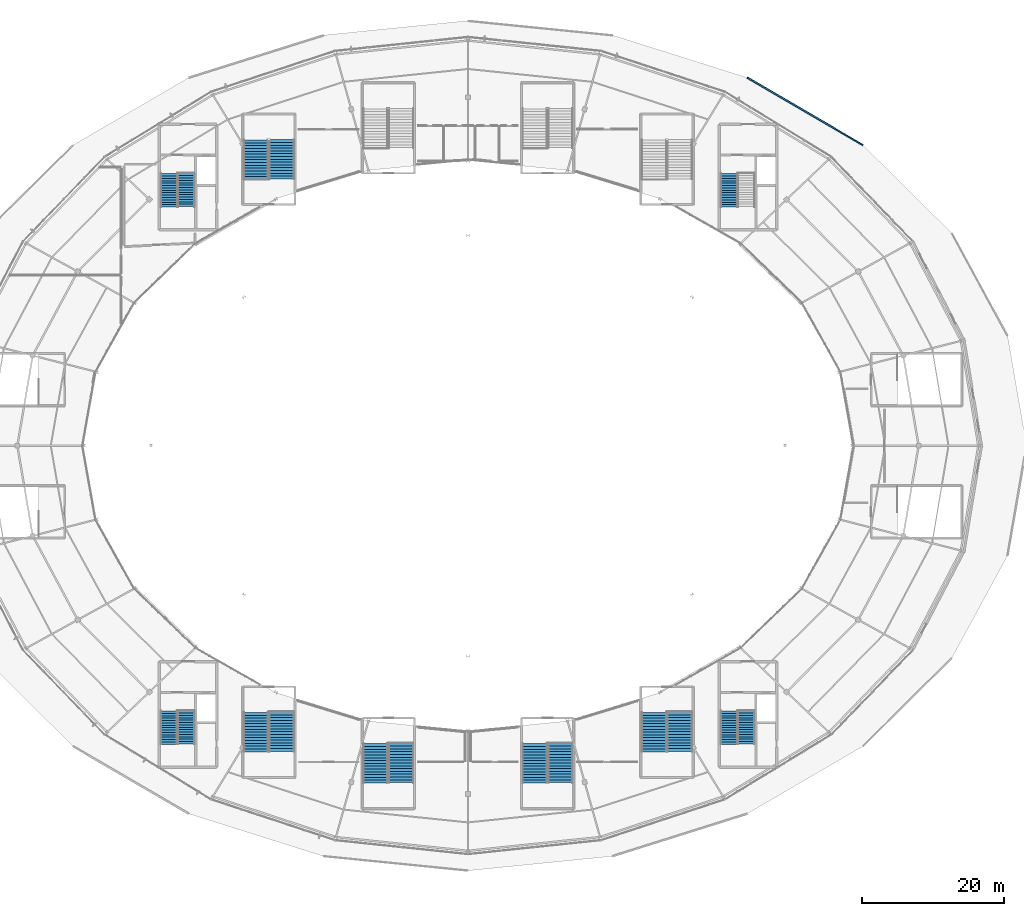
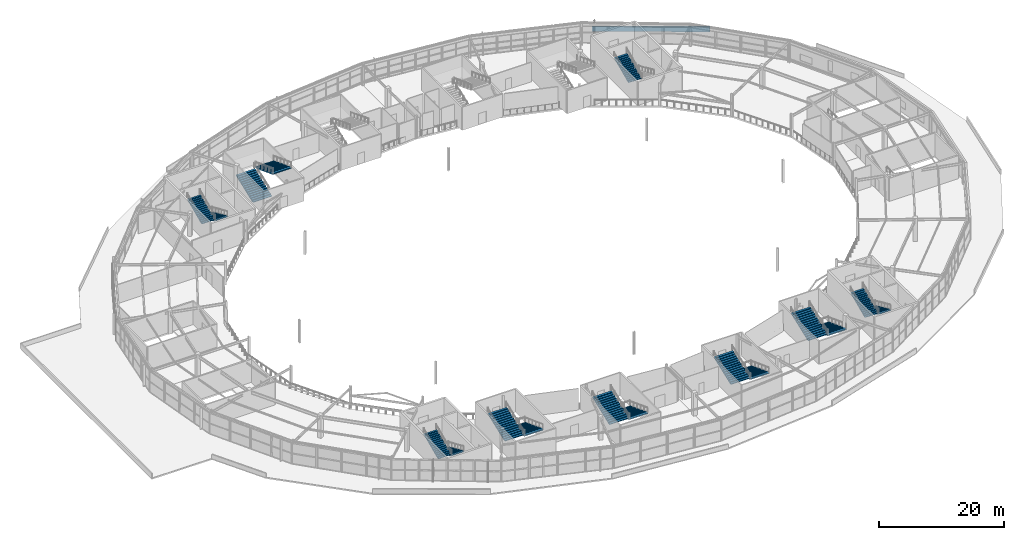
# One storey, part 111 of 126: 17 stair flights, 1 wall, 9 elements without a shape of their own.
"""IFC4 building model written with IfcOpenShell, lengths in metres."""

from ifc_helpers import new_model, si_unit, direction, frame, frame_2d, origin, place, context, subcontext, project, spatial, polyline, rectangle, outline, extrude, material, layer, layer_set, type_object, element, aggregate, save


model = new_model("IFC4")

# Units and contexts
model_context = context("Model", 3, precision=1e-05, world=origin(), true_north=direction((0.0, 1.0)))
body_context = subcontext(model_context, "Body", "Model", "MODEL_VIEW")
ifc_project = project(units=[si_unit("LENGTHUNIT", "METRE"), si_unit("AREAUNIT", "SQUARE_METRE"), si_unit("VOLUMEUNIT", "CUBIC_METRE"), si_unit("PLANEANGLEUNIT", "RADIAN"), si_unit("MASSUNIT", "GRAM", prefix="KILO")], contexts=[model_context])

# Site, building, storey
site_placement = place(None, origin())
site = spatial("IfcSite", under=ifc_project, at=site_placement, CompositionType="ELEMENT")
building_placement = place(site_placement, origin())
building = spatial("IfcBuilding", under=site, at=building_placement, Name="Kalgoora Escarpment Arena", CompositionType="ELEMENT")
storey_placement = place(building_placement, frame((0.0, 0.0, 18.89990234375)))
storey = spatial("IfcBuildingStorey", under=building, at=storey_placement, Name="L04", CompositionType="ELEMENT", Elevation=18.89990234375)

# Wall
ifc_material_1 = material(Name="Precast limestone coping parapet Concrete N40 (fc' 40 MPa)", Category="masonry")
ifc_layer = layer(ifc_material_1, 0.22509765625)
ifc_layer_set = layer_set([ifc_layer], Name="WAL-PAR-225")
wall_type = type_object("IfcWallType", Name="WAL-PAR-225", PredefinedType="PARAPET", material=ifc_layer_set)
wall_placement = place(storey_placement, frame((131.699951171875, 115.788330078125, 0.0), z_axis=(0.0, 0.0, 1.0), x_axis=(0.863603626938, -0.504171375169, 0.0)))
element("IfcWall", 1, at=wall_placement, inside=storey, type_object=wall_type, Name="L04 stepped ziggurat limestone parapet 013", PredefinedType="PARAPET", context=body_context, shape_type="SweptSolid", body=[
    extrude(rectangle(XDim=18.849609375, YDim=0.22509765625, at=frame_2d((9.4248046875, 0.0))), origin(), (0.0, 0.0, 1.0), 0.9501953125),
])

# Stair, stair flights
ifc_material_2 = material(Name="Concrete N40 (fc' 40 MPa)", Category="concrete")
stair_type_1 = type_object("IfcStairType", Name="STR-EXIT-1", PredefinedType="HALF_TURN_STAIR", material=ifc_material_2)
stair_1_placement = place(storey_placement, origin())
stair_1 = element("IfcStair", 2, at=stair_1_placement, inside=storey, type_object=stair_type_1, Name="Fire-isolated exit stair ST05 (L04)", PredefinedType="HALF_TURN_STAIR")
ifc_material_3 = material(Name="Concrete N40 (fc' 40 MPa)", Category="concrete")
stair_flight_type_1 = type_object("IfcStairFlightType", Name="FLT-EXIT-1", PredefinedType="STRAIGHT", material=ifc_material_3)
stair_flight_1_placement = place(storey_placement, frame((52.760009765625, 26.72998046875, 0.0), z_axis=(0.0, 0.0, 1.0), x_axis=(0.0, -1.0, 0.0)))
stair_flight_1 = element("IfcStairFlight", 3, at=stair_flight_1_placement, type_object=stair_flight_type_1, Name="ST05 L04 lower flight", NumberOfRisers=15, NumberOfTreads=14, PredefinedType="STRAIGHT", RiserHeight=0.15, TreadLength=0.335, context=body_context, shape_type="SweptSolid", body=[
    extrude(outline(polyline([(0.0, 0.0), (0.0, 0.14990234375), (0.3349609375, 0.14990234375), (0.3349609375, 0.300048828125), (0.669921875, 0.300048828125), (0.669921875, 0.449951171875), (1.0048828125, 0.449951171875), (1.0048828125, 0.60009765625), (1.340087890625, 0.60009765625), (1.340087890625, 0.75), (1.675048828125, 0.75), (1.675048828125, 0.89990234375), (2.010009765625, 0.89990234375), (2.010009765625, 1.050048828125), (2.344970703125, 1.050048828125), (2.344970703125, 1.199951171875), (2.679931640625, 1.199951171875), (2.679931640625, 1.35009765625), (3.014892578125, 1.35009765625), (3.014892578125, 1.5), (3.35009765625, 1.5), (3.35009765625, 1.64990234375), (3.68505859375, 1.64990234375), (3.68505859375, 1.800048828125), (4.02001953125, 1.800048828125), (4.02001953125, 1.949951171875), (4.35498046875, 1.949951171875), (4.35498046875, 2.10009765625), (4.68994140625, 2.10009765625), (4.68994140625, 2.25), (4.68994140625, 1.913818359375), (0.415771484375, 0.0), (0.0, 0.0)])), frame((0.0, 1.18994140625, 0.0), z_axis=(0.0, -1.0, 0.0), x_axis=(1.0, 0.0, 0.0)), (0.0, 0.0, 1.0), 2.3798828125),
])
stair_flight_2_placement = place(storey_placement, frame((50.340087890625, 21.97998046875, 2.25), z_axis=(0.0, 0.0, 1.0), x_axis=(0.0, 1.0, 0.0)))
stair_flight_2 = element("IfcStairFlight", 4, at=stair_flight_2_placement, type_object=stair_flight_type_1, Name="ST05 L04 upper flight", NumberOfRisers=15, NumberOfTreads=14, PredefinedType="STRAIGHT", RiserHeight=0.15, TreadLength=0.335, context=body_context, shape_type="SweptSolid", body=[
    extrude(outline(polyline([(0.0, 0.0), (0.0, 0.14990234375), (0.3349609375, 0.14990234375), (0.3349609375, 0.300048828125), (0.669921875, 0.300048828125), (0.669921875, 0.449951171875), (1.0048828125, 0.449951171875), (1.0048828125, 0.60009765625), (1.340087890625, 0.60009765625), (1.340087890625, 0.75), (1.675048828125, 0.75), (1.675048828125, 0.89990234375), (2.010009765625, 0.89990234375), (2.010009765625, 1.050048828125), (2.344970703125, 1.050048828125), (2.344970703125, 1.199951171875), (2.679931640625, 1.199951171875), (2.679931640625, 1.35009765625), (3.014892578125, 1.35009765625), (3.014892578125, 1.5), (3.35009765625, 1.5), (3.35009765625, 1.64990234375), (3.68505859375, 1.64990234375), (3.68505859375, 1.800048828125), (4.02001953125, 1.800048828125), (4.02001953125, 1.949951171875), (4.35498046875, 1.949951171875), (4.35498046875, 2.10009765625), (4.68994140625, 2.10009765625), (4.68994140625, 2.25), (4.68994140625, 1.913818359375), (0.415771484375, 0.0), (0.0, 0.0)])), frame((0.0, 1.18994140625, 0.0), z_axis=(0.0, -1.0, 0.0), x_axis=(1.0, 0.0, 0.0)), (0.0, 0.0, 1.0), 2.3798828125),
])
aggregate(stair_1, [stair_flight_1, stair_flight_2])

ifc_material_4 = material(Name="Concrete N40 (fc' 40 MPa)", Category="concrete")
stair_type_2 = type_object("IfcStairType", Name="STR-EXIT-2", PredefinedType="HALF_TURN_STAIR", material=ifc_material_4)
stair_2_placement = place(storey_placement, origin())
stair_2 = element("IfcStair", 5, at=stair_2_placement, inside=storey, type_object=stair_type_2, Name="Fire-isolated exit stair ST06 (L04)", PredefinedType="HALF_TURN_STAIR")
ifc_material_5 = material(Name="Concrete N40 (fc' 40 MPa)", Category="concrete")
stair_flight_type_2 = type_object("IfcStairFlightType", Name="FLT-EXIT-2", PredefinedType="STRAIGHT", material=ifc_material_5)
stair_flight_3_placement = place(storey_placement, frame((131.5576171875, 26.72998046875, 0.0), z_axis=(0.0, 0.0, 1.0), x_axis=(0.0, -1.0, 0.0)))
stair_flight_3 = element("IfcStairFlight", 6, at=stair_flight_3_placement, type_object=stair_flight_type_2, Name="ST06 L04 lower flight", NumberOfRisers=15, NumberOfTreads=14, PredefinedType="STRAIGHT", RiserHeight=0.15, TreadLength=0.335, context=body_context, shape_type="SweptSolid", body=[
    extrude(outline(polyline([(0.0, 0.0), (0.0, 0.14990234375), (0.3349609375, 0.14990234375), (0.3349609375, 0.300048828125), (0.669921875, 0.300048828125), (0.669921875, 0.449951171875), (1.0048828125, 0.449951171875), (1.0048828125, 0.60009765625), (1.340087890625, 0.60009765625), (1.340087890625, 0.75), (1.675048828125, 0.75), (1.675048828125, 0.89990234375), (2.010009765625, 0.89990234375), (2.010009765625, 1.050048828125), (2.344970703125, 1.050048828125), (2.344970703125, 1.199951171875), (2.679931640625, 1.199951171875), (2.679931640625, 1.35009765625), (3.014892578125, 1.35009765625), (3.014892578125, 1.5), (3.35009765625, 1.5), (3.35009765625, 1.64990234375), (3.68505859375, 1.64990234375), (3.68505859375, 1.800048828125), (4.02001953125, 1.800048828125), (4.02001953125, 1.949951171875), (4.35498046875, 1.949951171875), (4.35498046875, 2.10009765625), (4.68994140625, 2.10009765625), (4.68994140625, 2.25), (4.68994140625, 1.913818359375), (0.415771484375, 0.0), (0.0, 0.0)])), frame((0.0, 1.1923828125, 0.0), z_axis=(0.0, -1.0, 0.0), x_axis=(1.0, 0.0, 0.0)), (0.0, 0.0, 1.0), 2.385009765625),
])
stair_flight_4_placement = place(storey_placement, frame((129.142578125, 21.97998046875, 2.25), z_axis=(0.0, 0.0, 1.0), x_axis=(0.0, 1.0, 0.0)))
stair_flight_4 = element("IfcStairFlight", 7, at=stair_flight_4_placement, type_object=stair_flight_type_2, Name="ST06 L04 upper flight", NumberOfRisers=15, NumberOfTreads=14, PredefinedType="STRAIGHT", RiserHeight=0.15, TreadLength=0.335, context=body_context, shape_type="SweptSolid", body=[
    extrude(outline(polyline([(0.0, 0.0), (0.0, 0.14990234375), (0.3349609375, 0.14990234375), (0.3349609375, 0.300048828125), (0.669921875, 0.300048828125), (0.669921875, 0.449951171875), (1.0048828125, 0.449951171875), (1.0048828125, 0.60009765625), (1.340087890625, 0.60009765625), (1.340087890625, 0.75), (1.675048828125, 0.75), (1.675048828125, 0.89990234375), (2.010009765625, 0.89990234375), (2.010009765625, 1.050048828125), (2.344970703125, 1.050048828125), (2.344970703125, 1.199951171875), (2.679931640625, 1.199951171875), (2.679931640625, 1.35009765625), (3.014892578125, 1.35009765625), (3.014892578125, 1.5), (3.35009765625, 1.5), (3.35009765625, 1.64990234375), (3.68505859375, 1.64990234375), (3.68505859375, 1.800048828125), (4.02001953125, 1.800048828125), (4.02001953125, 1.949951171875), (4.35498046875, 1.949951171875), (4.35498046875, 2.10009765625), (4.68994140625, 2.10009765625), (4.68994140625, 2.25), (4.68994140625, 1.913818359375), (0.415771484375, 0.0), (0.0, 0.0)])), frame((0.0, 1.1923828125, 0.0), z_axis=(0.0, -1.0, 0.0), x_axis=(1.0, 0.0, 0.0)), (0.0, 0.0, 1.0), 2.385009765625),
])
aggregate(stair_2, [stair_flight_3, stair_flight_4])

ifc_material_6 = material(Name="Concrete N40 (fc' 40 MPa)", Category="concrete")
stair_type_3 = type_object("IfcStairType", Name="STR-EXIT-3", PredefinedType="HALF_TURN_STAIR", material=ifc_material_6)
stair_3_placement = place(storey_placement, origin())
stair_3 = element("IfcStair", 8, at=stair_3_placement, inside=storey, type_object=stair_type_3, Name="Fire-isolated exit stair ST03 (L04)", PredefinedType="HALF_TURN_STAIR")
ifc_material_7 = material(Name="Concrete N40 (fc' 40 MPa)", Category="concrete")
stair_flight_type_3 = type_object("IfcStairFlightType", Name="FLT-EXIT-3", PredefinedType="STRAIGHT", material=ifc_material_7)
stair_flight_5_placement = place(storey_placement, frame((52.7548828125, 102.330078125, 0.0), z_axis=(0.0, 0.0, 1.0), x_axis=(0.0, -1.0, 0.0)))
stair_flight_5 = element("IfcStairFlight", 9, at=stair_flight_5_placement, type_object=stair_flight_type_3, Name="ST03 L04 lower flight", NumberOfRisers=15, NumberOfTreads=14, PredefinedType="STRAIGHT", RiserHeight=0.15, TreadLength=0.335, context=body_context, shape_type="SweptSolid", body=[
    extrude(outline(polyline([(0.0, 0.0), (0.0, 0.14990234375), (0.3349609375, 0.14990234375), (0.3349609375, 0.300048828125), (0.669921875, 0.300048828125), (0.669921875, 0.449951171875), (1.0048828125, 0.449951171875), (1.0048828125, 0.60009765625), (1.340087890625, 0.60009765625), (1.340087890625, 0.75), (1.675048828125, 0.75), (1.675048828125, 0.89990234375), (2.010009765625, 0.89990234375), (2.010009765625, 1.050048828125), (2.344970703125, 1.050048828125), (2.344970703125, 1.199951171875), (2.679931640625, 1.199951171875), (2.679931640625, 1.35009765625), (3.014892578125, 1.35009765625), (3.014892578125, 1.5), (3.35009765625, 1.5), (3.35009765625, 1.64990234375), (3.68505859375, 1.64990234375), (3.68505859375, 1.800048828125), (4.02001953125, 1.800048828125), (4.02001953125, 1.949951171875), (4.35498046875, 1.949951171875), (4.35498046875, 2.10009765625), (4.68994140625, 2.10009765625), (4.68994140625, 2.25), (4.68994140625, 1.913818359375), (0.415771484375, 0.0), (0.0, 0.0)])), frame((0.0, 1.19482421875, 0.0), z_axis=(0.0, -1.0, 0.0), x_axis=(1.0, 0.0, 0.0)), (0.0, 0.0, 1.0), 2.389892578125),
])
stair_flight_6_placement = place(storey_placement, frame((50.344970703125, 97.580078125, 2.25), z_axis=(0.0, 0.0, 1.0), x_axis=(0.0, 1.0, 0.0)))
stair_flight_6 = element("IfcStairFlight", 10, at=stair_flight_6_placement, type_object=stair_flight_type_3, Name="ST03 L04 upper flight", NumberOfRisers=15, NumberOfTreads=14, PredefinedType="STRAIGHT", RiserHeight=0.15, TreadLength=0.335, context=body_context, shape_type="SweptSolid", body=[
    extrude(outline(polyline([(0.0, 0.0), (0.0, 0.14990234375), (0.3349609375, 0.14990234375), (0.3349609375, 0.300048828125), (0.669921875, 0.300048828125), (0.669921875, 0.449951171875), (1.0048828125, 0.449951171875), (1.0048828125, 0.60009765625), (1.340087890625, 0.60009765625), (1.340087890625, 0.75), (1.675048828125, 0.75), (1.675048828125, 0.89990234375), (2.010009765625, 0.89990234375), (2.010009765625, 1.050048828125), (2.344970703125, 1.050048828125), (2.344970703125, 1.199951171875), (2.679931640625, 1.199951171875), (2.679931640625, 1.35009765625), (3.014892578125, 1.35009765625), (3.014892578125, 1.5), (3.35009765625, 1.5), (3.35009765625, 1.64990234375), (3.68505859375, 1.64990234375), (3.68505859375, 1.800048828125), (4.02001953125, 1.800048828125), (4.02001953125, 1.949951171875), (4.35498046875, 1.949951171875), (4.35498046875, 2.10009765625), (4.68994140625, 2.10009765625), (4.68994140625, 2.25), (4.68994140625, 1.913818359375), (0.415771484375, 0.0), (0.0, 0.0)])), frame((0.0, 1.19482421875, 0.0), z_axis=(0.0, -1.0, 0.0), x_axis=(1.0, 0.0, 0.0)), (0.0, 0.0, 1.0), 2.389892578125),
])
aggregate(stair_3, [stair_flight_5, stair_flight_6])

# Stair, stair flight
ifc_material_8 = material(Name="Concrete N40 (fc' 40 MPa)", Category="concrete")
stair_type_4 = type_object("IfcStairType", Name="STR-EXIT-4", PredefinedType="HALF_TURN_STAIR", material=ifc_material_8)
stair_4_placement = place(storey_placement, origin())
stair_4 = element("IfcStair", 11, at=stair_4_placement, inside=storey, type_object=stair_type_4, Name="Fire-isolated exit stair ST04 (L04)", PredefinedType="HALF_TURN_STAIR")
ifc_material_9 = material(Name="Concrete N40 (fc' 40 MPa)", Category="concrete")
stair_flight_type_4 = type_object("IfcStairFlightType", Name="FLT-EXIT-4", PredefinedType="STRAIGHT", material=ifc_material_9)
stair_flight_7_placement = place(storey_placement, frame((129.1474609375, 97.580078125, 2.25), z_axis=(0.0, 0.0, 1.0), x_axis=(0.0, 1.0, 0.0)))
stair_flight_7 = element("IfcStairFlight", 12, at=stair_flight_7_placement, type_object=stair_flight_type_4, Name="ST04 L04 upper flight", NumberOfRisers=15, NumberOfTreads=14, PredefinedType="STRAIGHT", RiserHeight=0.15, TreadLength=0.335, context=body_context, shape_type="SweptSolid", body=[
    extrude(outline(polyline([(0.0, 0.0), (0.0, 0.14990234375), (0.3349609375, 0.14990234375), (0.3349609375, 0.300048828125), (0.669921875, 0.300048828125), (0.669921875, 0.449951171875), (1.0048828125, 0.449951171875), (1.0048828125, 0.60009765625), (1.340087890625, 0.60009765625), (1.340087890625, 0.75), (1.675048828125, 0.75), (1.675048828125, 0.89990234375), (2.010009765625, 0.89990234375), (2.010009765625, 1.050048828125), (2.344970703125, 1.050048828125), (2.344970703125, 1.199951171875), (2.679931640625, 1.199951171875), (2.679931640625, 1.35009765625), (3.014892578125, 1.35009765625), (3.014892578125, 1.5), (3.35009765625, 1.5), (3.35009765625, 1.64990234375), (3.68505859375, 1.64990234375), (3.68505859375, 1.800048828125), (4.02001953125, 1.800048828125), (4.02001953125, 1.949951171875), (4.35498046875, 1.949951171875), (4.35498046875, 2.10009765625), (4.68994140625, 2.10009765625), (4.68994140625, 2.25), (4.68994140625, 1.913818359375), (0.415771484375, 0.0), (0.0, 0.0)])), frame((0.0, 1.197509765625, 0.0), z_axis=(0.0, -1.0, 0.0), x_axis=(1.0, 0.0, 0.0)), (0.0, 0.0, 1.0), 2.39501953125),
])
aggregate(stair_4, [stair_flight_7])

# Stair, stair flights
ifc_material_10 = material(Name="Precast concrete N50 (fc' 50 MPa)", Category="concrete")
stair_type_5 = type_object("IfcStairType", Name="STR-STAD-1", PredefinedType="HALF_TURN_STAIR", material=ifc_material_10)
stair_5_placement = place(storey_placement, origin())
stair_5 = element("IfcStair", 13, at=stair_5_placement, inside=storey, type_object=stair_type_5, Name="Fire-isolated exit stair ST09 (L04)", PredefinedType="HALF_TURN_STAIR")
ifc_material_11 = material(Name="Precast concrete N50 (fc' 50 MPa)", Category="concrete")
stair_flight_type_5 = type_object("IfcStairFlightType", Name="FLT-STAD-1", PredefinedType="STRAIGHT", material=ifc_material_11)
stair_flight_8_placement = place(storey_placement, frame((62.592529296875, 101.469970703125, 0.0), z_axis=(0.0, 0.0, 1.0), x_axis=(0.0, 1.0, 0.0)))
stair_flight_8 = element("IfcStairFlight", 14, at=stair_flight_8_placement, type_object=stair_flight_type_5, Name="ST09 L04 lower flight", NumberOfRisers=15, NumberOfTreads=14, PredefinedType="STRAIGHT", RiserHeight=0.15, TreadLength=0.395, context=body_context, shape_type="SweptSolid", body=[
    extrude(outline(polyline([(0.0, 0.0), (0.0, 0.14990234375), (0.39501953125, 0.14990234375), (0.39501953125, 0.300048828125), (0.7900390625, 0.300048828125), (0.7900390625, 0.449951171875), (1.18505859375, 0.449951171875), (1.18505859375, 0.60009765625), (1.580078125, 0.60009765625), (1.580078125, 0.75), (1.97509765625, 0.75), (1.97509765625, 0.89990234375), (2.3701171875, 0.89990234375), (2.3701171875, 1.050048828125), (2.764892578125, 1.050048828125), (2.764892578125, 1.199951171875), (3.159912109375, 1.199951171875), (3.159912109375, 1.35009765625), (3.554931640625, 1.35009765625), (3.554931640625, 1.5), (3.949951171875, 1.5), (3.949951171875, 1.64990234375), (4.344970703125, 1.64990234375), (4.344970703125, 1.800048828125), (4.739990234375, 1.800048828125), (4.739990234375, 1.949951171875), (5.135009765625, 1.949951171875), (5.135009765625, 2.10009765625), (5.530029296875, 2.10009765625), (5.530029296875, 2.25), (5.530029296875, 1.918212890625), (0.478759765625, 0.0), (0.0, 0.0)])), frame((0.0, 1.74267578125, 0.0), z_axis=(0.0, -1.0, 0.0), x_axis=(1.0, 0.0, 0.0)), (0.0, 0.0, 1.0), 3.485107421875),
])
stair_flight_9_placement = place(storey_placement, frame((66.20751953125, 107.06005859375, 2.25), z_axis=(0.0, 0.0, 1.0), x_axis=(0.0, -1.0, 0.0)))
stair_flight_9 = element("IfcStairFlight", 15, at=stair_flight_9_placement, type_object=stair_flight_type_5, Name="ST09 L04 upper flight", NumberOfRisers=15, NumberOfTreads=14, PredefinedType="STRAIGHT", RiserHeight=0.15, TreadLength=0.395, context=body_context, shape_type="SweptSolid", body=[
    extrude(outline(polyline([(0.0, 0.0), (0.0, 0.14990234375), (0.39501953125, 0.14990234375), (0.39501953125, 0.300048828125), (0.7900390625, 0.300048828125), (0.7900390625, 0.449951171875), (1.18505859375, 0.449951171875), (1.18505859375, 0.60009765625), (1.580078125, 0.60009765625), (1.580078125, 0.75), (1.97509765625, 0.75), (1.97509765625, 0.89990234375), (2.3701171875, 0.89990234375), (2.3701171875, 1.050048828125), (2.764892578125, 1.050048828125), (2.764892578125, 1.199951171875), (3.159912109375, 1.199951171875), (3.159912109375, 1.35009765625), (3.554931640625, 1.35009765625), (3.554931640625, 1.5), (3.949951171875, 1.5), (3.949951171875, 1.64990234375), (4.344970703125, 1.64990234375), (4.344970703125, 1.800048828125), (4.739990234375, 1.800048828125), (4.739990234375, 1.949951171875), (5.135009765625, 1.949951171875), (5.135009765625, 2.10009765625), (5.530029296875, 2.10009765625), (5.530029296875, 2.25), (5.530029296875, 1.918212890625), (0.478759765625, 0.0), (0.0, 0.0)])), frame((0.0, 1.74267578125, 0.0), z_axis=(0.0, -1.0, 0.0), x_axis=(1.0, 0.0, 0.0)), (0.0, 0.0, 1.0), 3.485107421875),
])
aggregate(stair_5, [stair_flight_8, stair_flight_9])

stair_6_placement = place(storey_placement, origin())
stair_6 = element("IfcStair", 16, at=stair_6_placement, inside=storey, type_object=stair_type_5, Name="Fire-isolated exit stair ST13 (L04)", PredefinedType="HALF_TURN_STAIR")
stair_flight_10_placement = place(storey_placement, frame((66.20751953125, 26.530029296875, 0.0), z_axis=(0.0, 0.0, 1.0), x_axis=(0.0, -1.0, 0.0)))
stair_flight_10 = element("IfcStairFlight", 17, at=stair_flight_10_placement, type_object=stair_flight_type_5, Name="ST13 L04 lower flight", NumberOfRisers=15, NumberOfTreads=14, PredefinedType="STRAIGHT", RiserHeight=0.15, TreadLength=0.395, context=body_context, shape_type="SweptSolid", body=[
    extrude(outline(polyline([(0.0, 0.0), (0.0, 0.14990234375), (0.39501953125, 0.14990234375), (0.39501953125, 0.300048828125), (0.7900390625, 0.300048828125), (0.7900390625, 0.449951171875), (1.18505859375, 0.449951171875), (1.18505859375, 0.60009765625), (1.580078125, 0.60009765625), (1.580078125, 0.75), (1.97509765625, 0.75), (1.97509765625, 0.89990234375), (2.3701171875, 0.89990234375), (2.3701171875, 1.050048828125), (2.764892578125, 1.050048828125), (2.764892578125, 1.199951171875), (3.159912109375, 1.199951171875), (3.159912109375, 1.35009765625), (3.554931640625, 1.35009765625), (3.554931640625, 1.5), (3.949951171875, 1.5), (3.949951171875, 1.64990234375), (4.344970703125, 1.64990234375), (4.344970703125, 1.800048828125), (4.739990234375, 1.800048828125), (4.739990234375, 1.949951171875), (5.135009765625, 1.949951171875), (5.135009765625, 2.10009765625), (5.530029296875, 2.10009765625), (5.530029296875, 2.25), (5.530029296875, 1.918212890625), (0.478759765625, 0.0), (0.0, 0.0)])), frame((0.0, 1.74267578125, 0.0), z_axis=(0.0, -1.0, 0.0), x_axis=(1.0, 0.0, 0.0)), (0.0, 0.0, 1.0), 3.485107421875),
])
stair_flight_11_placement = place(storey_placement, frame((62.592529296875, 20.93994140625, 2.25), z_axis=(0.0, 0.0, 1.0), x_axis=(0.0, 1.0, 0.0)))
stair_flight_11 = element("IfcStairFlight", 18, at=stair_flight_11_placement, type_object=stair_flight_type_5, Name="ST13 L04 upper flight", NumberOfRisers=15, NumberOfTreads=14, PredefinedType="STRAIGHT", RiserHeight=0.15, TreadLength=0.395, context=body_context, shape_type="SweptSolid", body=[
    extrude(outline(polyline([(0.0, 0.0), (0.0, 0.14990234375), (0.39501953125, 0.14990234375), (0.39501953125, 0.300048828125), (0.7900390625, 0.300048828125), (0.7900390625, 0.449951171875), (1.18505859375, 0.449951171875), (1.18505859375, 0.60009765625), (1.580078125, 0.60009765625), (1.580078125, 0.75), (1.97509765625, 0.75), (1.97509765625, 0.89990234375), (2.3701171875, 0.89990234375), (2.3701171875, 1.050048828125), (2.764892578125, 1.050048828125), (2.764892578125, 1.199951171875), (3.159912109375, 1.199951171875), (3.159912109375, 1.35009765625), (3.554931640625, 1.35009765625), (3.554931640625, 1.5), (3.949951171875, 1.5), (3.949951171875, 1.64990234375), (4.344970703125, 1.64990234375), (4.344970703125, 1.800048828125), (4.739990234375, 1.800048828125), (4.739990234375, 1.949951171875), (5.135009765625, 1.949951171875), (5.135009765625, 2.10009765625), (5.530029296875, 2.10009765625), (5.530029296875, 2.25), (5.530029296875, 1.918212890625), (0.478759765625, 0.0), (0.0, 0.0)])), frame((0.0, 1.74267578125, 0.0), z_axis=(0.0, -1.0, 0.0), x_axis=(1.0, 0.0, 0.0)), (0.0, 0.0, 1.0), 3.485107421875),
])
aggregate(stair_6, [stair_flight_10, stair_flight_11])

ifc_material_12 = material(Name="Precast concrete N50 (fc' 50 MPa)", Category="concrete")
stair_type_6 = type_object("IfcStairType", Name="STR-STAD-2", PredefinedType="HALF_TURN_STAIR", material=ifc_material_12)
stair_7_placement = place(storey_placement, origin())
stair_7 = element("IfcStair", 19, at=stair_7_placement, inside=storey, type_object=stair_type_6, Name="Fire-isolated exit stair ST14 (L04)", PredefinedType="HALF_TURN_STAIR")
ifc_material_13 = material(Name="Precast concrete N50 (fc' 50 MPa)", Category="concrete")
stair_flight_type_6 = type_object("IfcStairFlightType", Name="FLT-STAD-2", PredefinedType="STRAIGHT", material=ifc_material_13)
stair_flight_12_placement = place(storey_placement, frame((83.0048828125, 22.1298828125, 0.0), z_axis=(0.0, 0.0, 1.0), x_axis=(0.0, -1.0, 0.0)))
stair_flight_12 = element("IfcStairFlight", 20, at=stair_flight_12_placement, type_object=stair_flight_type_6, Name="ST14 L04 lower flight", NumberOfRisers=15, NumberOfTreads=14, PredefinedType="STRAIGHT", RiserHeight=0.15, TreadLength=0.395, context=body_context, shape_type="SweptSolid", body=[
    extrude(outline(polyline([(0.0, 0.0), (0.0, 0.14990234375), (0.39501953125, 0.14990234375), (0.39501953125, 0.300048828125), (0.7900390625, 0.300048828125), (0.7900390625, 0.449951171875), (1.18505859375, 0.449951171875), (1.18505859375, 0.60009765625), (1.580078125, 0.60009765625), (1.580078125, 0.75), (1.97509765625, 0.75), (1.97509765625, 0.89990234375), (2.3701171875, 0.89990234375), (2.3701171875, 1.050048828125), (2.764892578125, 1.050048828125), (2.764892578125, 1.199951171875), (3.159912109375, 1.199951171875), (3.159912109375, 1.35009765625), (3.554931640625, 1.35009765625), (3.554931640625, 1.5), (3.949951171875, 1.5), (3.949951171875, 1.64990234375), (4.344970703125, 1.64990234375), (4.344970703125, 1.800048828125), (4.739990234375, 1.800048828125), (4.739990234375, 1.949951171875), (5.135009765625, 1.949951171875), (5.135009765625, 2.10009765625), (5.530029296875, 2.10009765625), (5.530029296875, 2.25), (5.530029296875, 1.918212890625), (0.478759765625, 0.0), (0.0, 0.0)])), frame((0.0, 1.7451171875, 0.0), z_axis=(0.0, -1.0, 0.0), x_axis=(1.0, 0.0, 0.0)), (0.0, 0.0, 1.0), 3.489990234375),
])
stair_flight_13_placement = place(storey_placement, frame((79.39501953125, 16.5400390625, 2.25), z_axis=(0.0, 0.0, 1.0), x_axis=(0.0, 1.0, 0.0)))
stair_flight_13 = element("IfcStairFlight", 21, at=stair_flight_13_placement, type_object=stair_flight_type_6, Name="ST14 L04 upper flight", NumberOfRisers=15, NumberOfTreads=14, PredefinedType="STRAIGHT", RiserHeight=0.15, TreadLength=0.395, context=body_context, shape_type="SweptSolid", body=[
    extrude(outline(polyline([(0.0, 0.0), (0.0, 0.14990234375), (0.39501953125, 0.14990234375), (0.39501953125, 0.300048828125), (0.7900390625, 0.300048828125), (0.7900390625, 0.449951171875), (1.18505859375, 0.449951171875), (1.18505859375, 0.60009765625), (1.580078125, 0.60009765625), (1.580078125, 0.75), (1.97509765625, 0.75), (1.97509765625, 0.89990234375), (2.3701171875, 0.89990234375), (2.3701171875, 1.050048828125), (2.764892578125, 1.050048828125), (2.764892578125, 1.199951171875), (3.159912109375, 1.199951171875), (3.159912109375, 1.35009765625), (3.554931640625, 1.35009765625), (3.554931640625, 1.5), (3.949951171875, 1.5), (3.949951171875, 1.64990234375), (4.344970703125, 1.64990234375), (4.344970703125, 1.800048828125), (4.739990234375, 1.800048828125), (4.739990234375, 1.949951171875), (5.135009765625, 1.949951171875), (5.135009765625, 2.10009765625), (5.530029296875, 2.10009765625), (5.530029296875, 2.25), (5.530029296875, 1.918212890625), (0.478759765625, 0.0), (0.0, 0.0)])), frame((0.0, 1.7451171875, 0.0), z_axis=(0.0, -1.0, 0.0), x_axis=(1.0, 0.0, 0.0)), (0.0, 0.0, 1.0), 3.489990234375),
])
aggregate(stair_7, [stair_flight_12, stair_flight_13])

ifc_material_14 = material(Name="Precast concrete N50 (fc' 50 MPa)", Category="concrete")
stair_type_7 = type_object("IfcStairType", Name="STR-STAD-3", PredefinedType="HALF_TURN_STAIR", material=ifc_material_14)
stair_8_placement = place(storey_placement, origin())
stair_8 = element("IfcStair", 22, at=stair_8_placement, inside=storey, type_object=stair_type_7, Name="Fire-isolated exit stair ST15 (L04)", PredefinedType="HALF_TURN_STAIR")
ifc_material_15 = material(Name="Precast concrete N50 (fc' 50 MPa)", Category="concrete")
stair_flight_type_7 = type_object("IfcStairFlightType", Name="FLT-STAD-3", PredefinedType="STRAIGHT", material=ifc_material_15)
stair_flight_14_placement = place(storey_placement, frame((105.402587890625, 22.1298828125, 0.0), z_axis=(0.0, 0.0, 1.0), x_axis=(0.0, -1.0, 0.0)))
stair_flight_14 = element("IfcStairFlight", 23, at=stair_flight_14_placement, type_object=stair_flight_type_7, Name="ST15 L04 lower flight", NumberOfRisers=15, NumberOfTreads=14, PredefinedType="STRAIGHT", RiserHeight=0.15, TreadLength=0.395, context=body_context, shape_type="SweptSolid", body=[
    extrude(outline(polyline([(0.0, 0.0), (0.0, 0.14990234375), (0.39501953125, 0.14990234375), (0.39501953125, 0.300048828125), (0.7900390625, 0.300048828125), (0.7900390625, 0.449951171875), (1.18505859375, 0.449951171875), (1.18505859375, 0.60009765625), (1.580078125, 0.60009765625), (1.580078125, 0.75), (1.97509765625, 0.75), (1.97509765625, 0.89990234375), (2.3701171875, 0.89990234375), (2.3701171875, 1.050048828125), (2.764892578125, 1.050048828125), (2.764892578125, 1.199951171875), (3.159912109375, 1.199951171875), (3.159912109375, 1.35009765625), (3.554931640625, 1.35009765625), (3.554931640625, 1.5), (3.949951171875, 1.5), (3.949951171875, 1.64990234375), (4.344970703125, 1.64990234375), (4.344970703125, 1.800048828125), (4.739990234375, 1.800048828125), (4.739990234375, 1.949951171875), (5.135009765625, 1.949951171875), (5.135009765625, 2.10009765625), (5.530029296875, 2.10009765625), (5.530029296875, 2.25), (5.530029296875, 1.918212890625), (0.478759765625, 0.0), (0.0, 0.0)])), frame((0.0, 1.74755859375, 0.0), z_axis=(0.0, -1.0, 0.0), x_axis=(1.0, 0.0, 0.0)), (0.0, 0.0, 1.0), 3.4951171875),
])
stair_flight_15_placement = place(storey_placement, frame((101.797607421875, 16.5400390625, 2.25), z_axis=(0.0, 0.0, 1.0), x_axis=(0.0, 1.0, 0.0)))
stair_flight_15 = element("IfcStairFlight", 24, at=stair_flight_15_placement, type_object=stair_flight_type_7, Name="ST15 L04 upper flight", NumberOfRisers=15, NumberOfTreads=14, PredefinedType="STRAIGHT", RiserHeight=0.15, TreadLength=0.395, context=body_context, shape_type="SweptSolid", body=[
    extrude(outline(polyline([(0.0, 0.0), (0.0, 0.14990234375), (0.39501953125, 0.14990234375), (0.39501953125, 0.300048828125), (0.7900390625, 0.300048828125), (0.7900390625, 0.449951171875), (1.18505859375, 0.449951171875), (1.18505859375, 0.60009765625), (1.580078125, 0.60009765625), (1.580078125, 0.75), (1.97509765625, 0.75), (1.97509765625, 0.89990234375), (2.3701171875, 0.89990234375), (2.3701171875, 1.050048828125), (2.764892578125, 1.050048828125), (2.764892578125, 1.199951171875), (3.159912109375, 1.199951171875), (3.159912109375, 1.35009765625), (3.554931640625, 1.35009765625), (3.554931640625, 1.5), (3.949951171875, 1.5), (3.949951171875, 1.64990234375), (4.344970703125, 1.64990234375), (4.344970703125, 1.800048828125), (4.739990234375, 1.800048828125), (4.739990234375, 1.949951171875), (5.135009765625, 1.949951171875), (5.135009765625, 2.10009765625), (5.530029296875, 2.10009765625), (5.530029296875, 2.25), (5.530029296875, 1.918212890625), (0.478759765625, 0.0), (0.0, 0.0)])), frame((0.0, 1.74755859375, 0.0), z_axis=(0.0, -1.0, 0.0), x_axis=(1.0, 0.0, 0.0)), (0.0, 0.0, 1.0), 3.4951171875),
])
aggregate(stair_8, [stair_flight_14, stair_flight_15])

ifc_material_16 = material(Name="Precast concrete N50 (fc' 50 MPa)", Category="concrete")
stair_type_8 = type_object("IfcStairType", Name="STR-STAD-4", PredefinedType="HALF_TURN_STAIR", material=ifc_material_16)
stair_9_placement = place(storey_placement, origin())
stair_9 = element("IfcStair", 25, at=stair_9_placement, inside=storey, type_object=stair_type_8, Name="Fire-isolated exit stair ST16 (L04)", PredefinedType="HALF_TURN_STAIR")
ifc_material_17 = material(Name="Precast concrete N50 (fc' 50 MPa)", Category="concrete")
stair_flight_type_8 = type_object("IfcStairFlightType", Name="FLT-STAD-4", PredefinedType="STRAIGHT", material=ifc_material_17)
stair_flight_16_placement = place(storey_placement, frame((122.199951171875, 26.530029296875, 0.0), z_axis=(0.0, 0.0, 1.0), x_axis=(0.0, -1.0, 0.0)))
stair_flight_16 = element("IfcStairFlight", 26, at=stair_flight_16_placement, type_object=stair_flight_type_8, Name="ST16 L04 lower flight", NumberOfRisers=15, NumberOfTreads=14, PredefinedType="STRAIGHT", RiserHeight=0.15, TreadLength=0.395, context=body_context, shape_type="SweptSolid", body=[
    extrude(outline(polyline([(0.0, 0.0), (0.0, 0.14990234375), (0.39501953125, 0.14990234375), (0.39501953125, 0.300048828125), (0.7900390625, 0.300048828125), (0.7900390625, 0.449951171875), (1.18505859375, 0.449951171875), (1.18505859375, 0.60009765625), (1.580078125, 0.60009765625), (1.580078125, 0.75), (1.97509765625, 0.75), (1.97509765625, 0.89990234375), (2.3701171875, 0.89990234375), (2.3701171875, 1.050048828125), (2.764892578125, 1.050048828125), (2.764892578125, 1.199951171875), (3.159912109375, 1.199951171875), (3.159912109375, 1.35009765625), (3.554931640625, 1.35009765625), (3.554931640625, 1.5), (3.949951171875, 1.5), (3.949951171875, 1.64990234375), (4.344970703125, 1.64990234375), (4.344970703125, 1.800048828125), (4.739990234375, 1.800048828125), (4.739990234375, 1.949951171875), (5.135009765625, 1.949951171875), (5.135009765625, 2.10009765625), (5.530029296875, 2.10009765625), (5.530029296875, 2.25), (5.530029296875, 1.918212890625), (0.478759765625, 0.0), (0.0, 0.0)])), frame((0.0, 1.75, 0.0), z_axis=(0.0, -1.0, 0.0), x_axis=(1.0, 0.0, 0.0)), (0.0, 0.0, 1.0), 3.5),
])
stair_flight_17_placement = place(storey_placement, frame((118.60009765625, 20.93994140625, 2.25), z_axis=(0.0, 0.0, 1.0), x_axis=(0.0, 1.0, 0.0)))
stair_flight_17 = element("IfcStairFlight", 27, at=stair_flight_17_placement, type_object=stair_flight_type_8, Name="ST16 L04 upper flight", NumberOfRisers=15, NumberOfTreads=14, PredefinedType="STRAIGHT", RiserHeight=0.15, TreadLength=0.395, context=body_context, shape_type="SweptSolid", body=[
    extrude(outline(polyline([(0.0, 0.0), (0.0, 0.14990234375), (0.39501953125, 0.14990234375), (0.39501953125, 0.300048828125), (0.7900390625, 0.300048828125), (0.7900390625, 0.449951171875), (1.18505859375, 0.449951171875), (1.18505859375, 0.60009765625), (1.580078125, 0.60009765625), (1.580078125, 0.75), (1.97509765625, 0.75), (1.97509765625, 0.89990234375), (2.3701171875, 0.89990234375), (2.3701171875, 1.050048828125), (2.764892578125, 1.050048828125), (2.764892578125, 1.199951171875), (3.159912109375, 1.199951171875), (3.159912109375, 1.35009765625), (3.554931640625, 1.35009765625), (3.554931640625, 1.5), (3.949951171875, 1.5), (3.949951171875, 1.64990234375), (4.344970703125, 1.64990234375), (4.344970703125, 1.800048828125), (4.739990234375, 1.800048828125), (4.739990234375, 1.949951171875), (5.135009765625, 1.949951171875), (5.135009765625, 2.10009765625), (5.530029296875, 2.10009765625), (5.530029296875, 2.25), (5.530029296875, 1.918212890625), (0.478759765625, 0.0), (0.0, 0.0)])), frame((0.0, 1.75, 0.0), z_axis=(0.0, -1.0, 0.0), x_axis=(1.0, 0.0, 0.0)), (0.0, 0.0, 1.0), 3.5),
])
aggregate(stair_9, [stair_flight_16, stair_flight_17])

save(model, "model.ifc")
